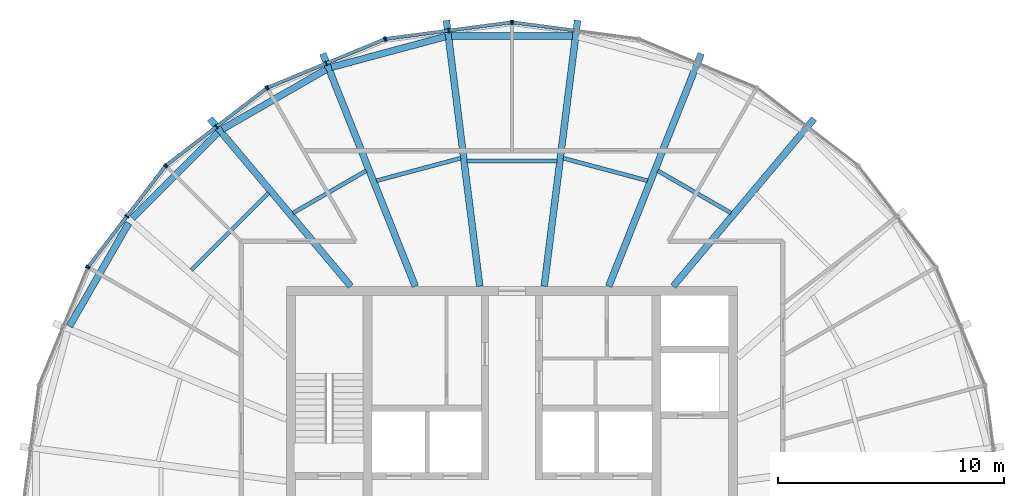
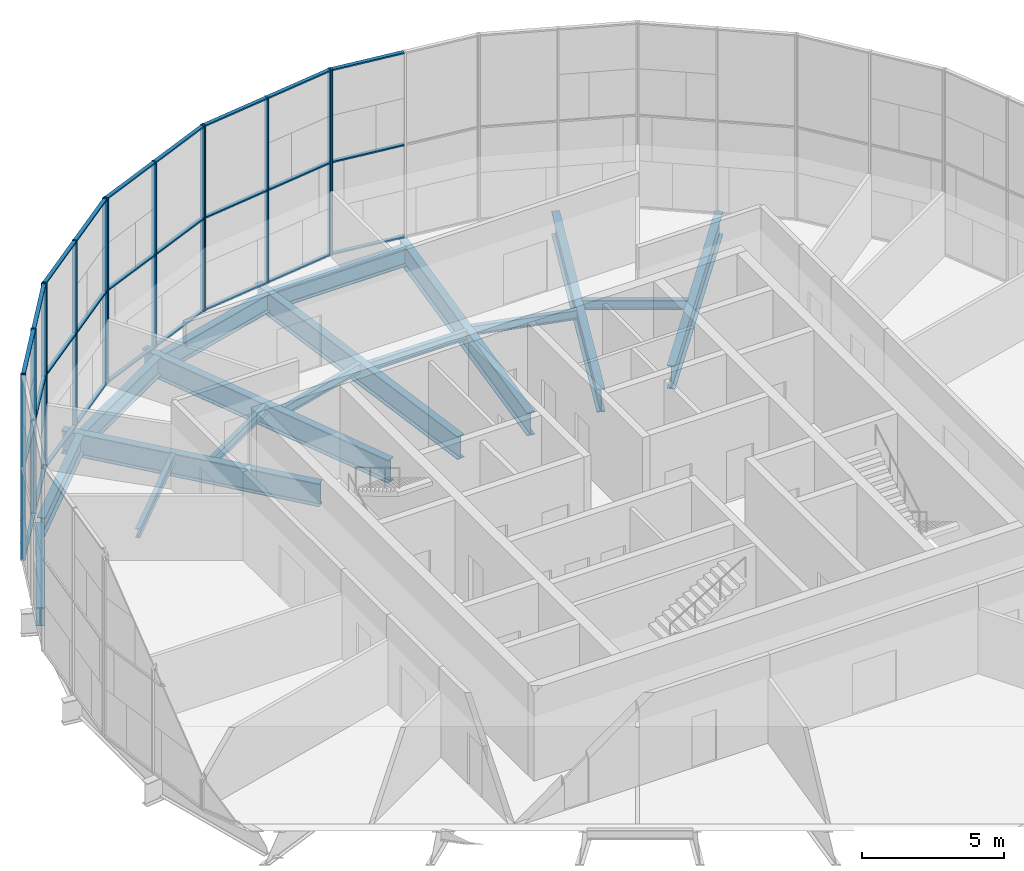
# One storey, part 6 of 18: 41 members, 17 beams, 6 elements without a shape of their own.
"""IFC4 building model written with IfcOpenShell, lengths in metres."""

from ifc_helpers import new_model, si_unit, direction, frame, origin, origin_2d, place, context, subcontext, project, spatial, rectangle, i_section, extrude, material, material_profile, profile_set, type_object, element, aggregate, save


model = new_model("IFC4")

# Units and contexts
model_context = context("Model", 3, precision=1e-05, world=origin(), true_north=direction((0.0, 1.0)))
body_context = subcontext(model_context, "Body", "Model", "MODEL_VIEW")
ifc_project = project(units=[si_unit("LENGTHUNIT", "METRE"), si_unit("AREAUNIT", "SQUARE_METRE"), si_unit("VOLUMEUNIT", "CUBIC_METRE"), si_unit("PLANEANGLEUNIT", "RADIAN"), si_unit("MASSUNIT", "GRAM", prefix="KILO")], contexts=[model_context])

# Site, building, storey
site_placement = place(None, origin())
site = spatial("IfcSite", under=ifc_project, at=site_placement, CompositionType="ELEMENT")
building_placement = place(site_placement, origin())
building = spatial("IfcBuilding", under=site, at=building_placement, Name="Golbaran Civic Tower", CompositionType="ELEMENT")
storey_placement = place(building_placement, frame((0.0, 0.0, 272.0)))
storey = spatial("IfcBuildingStorey", under=building, at=storey_placement, Name="L66", CompositionType="ELEMENT", Elevation=272.0)

# Beams
ifc_material_1 = material(Name="Steel S355", Category="steel")
ifc_material_profile_1 = material_profile(ifc_material_1, i_section(OverallWidth=0.300048828125, OverallDepth=0.800048828125, WebThickness=0.017578125, FlangeThickness=0.032958984375, FilletRadius=0.030029296875, at=origin_2d()), Name="HEB 800")
ifc_profile_set_1 = profile_set([ifc_material_profile_1], Name="Steel S355")
beam_type_1 = type_object("IfcBeamType", Name="EDGE BEAM HEB 800", PredefinedType="BEAM", material=ifc_profile_set_1)
beam_1_placement = place(storey_placement, frame((2.68896484375, 21.095703125, -0.60009765625), z_axis=(-1.0, 0.0, 0.0), x_axis=(0.0, -1.0, 0.0)))
element("IfcBeam", 1, at=beam_1_placement, inside=storey, type_object=beam_type_1, Name="Edge beam 82.41 L66", PredefinedType="BEAM", context=body_context, shape_type="SweptSolid", body=[
    extrude(i_section(OverallWidth=0.300048828125, OverallDepth=0.800048828125, WebThickness=0.017578125, FlangeThickness=0.032958984375, FilletRadius=0.030029296875, at=origin_2d()), origin(), (0.0, 0.0, 1.0), 5.3779296875),
])
beam_2_placement = place(storey_placement, frame((-2.94677734375, 21.061767578125, -0.60009765625), z_axis=(-0.965775895826, -0.259377946329, 0.0), x_axis=(0.259377946329, -0.965775895826, 0.0)))
element("IfcBeam", 2, at=beam_2_placement, inside=storey, type_object=beam_type_1, Name="Edge beam 97.59 L66", PredefinedType="BEAM", context=body_context, shape_type="SweptSolid", body=[
    extrude(i_section(OverallWidth=0.300048828125, OverallDepth=0.800048828125, WebThickness=0.017578125, FlangeThickness=0.032958984375, FilletRadius=0.030029296875, at=origin_2d()), origin(), (0.0, 0.0, 1.0), 5.234375),
])
beam_3_placement = place(storey_placement, frame((-8.2421875, 19.6044921875, -0.60009765625), z_axis=(-0.866440450547, -0.499280427871, 0.0), x_axis=(0.499280427871, -0.866440450547, 0.0)))
element("IfcBeam", 3, at=beam_3_placement, inside=storey, type_object=beam_type_1, Name="Edge beam 112.41 L66", PredefinedType="BEAM", context=body_context, shape_type="SweptSolid", body=[
    extrude(i_section(OverallWidth=0.300048828125, OverallDepth=0.800048828125, WebThickness=0.017578125, FlangeThickness=0.032958984375, FilletRadius=0.030029296875, at=origin_2d()), origin(), (0.0, 0.0, 1.0), 5.292236328125),
])
beam_4_placement = place(storey_placement, frame((-13.0341796875, 16.803955078125, -0.60009765625), z_axis=(-0.70669645465, -0.707516869753, 0.0), x_axis=(0.707516869753, -0.70669645465, 0.0)))
element("IfcBeam", 4, at=beam_4_placement, inside=storey, type_object=beam_type_1, Name="Edge beam 127.59 L66", PredefinedType="BEAM", context=body_context, shape_type="SweptSolid", body=[
    extrude(i_section(OverallWidth=0.300048828125, OverallDepth=0.800048828125, WebThickness=0.017578125, FlangeThickness=0.032958984375, FilletRadius=0.030029296875, at=origin_2d()), origin(), (0.0, 0.0, 1.0), 5.3564453125),
])
beam_5_placement = place(storey_placement, frame((-16.977783203125, 12.80712890625, -0.60009765625), z_axis=(-0.498381695671, -0.866957718358, 0.0), x_axis=(0.866957718358, -0.498381695671, 0.0)))
element("IfcBeam", 5, at=beam_5_placement, inside=storey, type_object=beam_type_1, Name="Edge beam 142.41 L66", PredefinedType="BEAM", context=body_context, shape_type="SweptSolid", body=[
    extrude(i_section(OverallWidth=0.300048828125, OverallDepth=0.800048828125, WebThickness=0.017578125, FlangeThickness=0.032958984375, FilletRadius=0.030029296875, at=origin_2d()), origin(), (0.0, 0.0, 1.0), 5.283203125),
])
ifc_material_profile_2 = material_profile(ifc_material_1, i_section(OverallWidth=0.179931640625, OverallDepth=0.39990234375, WebThickness=0.008544921875, FlangeThickness=0.013427734375, FilletRadius=0.02099609375, at=origin_2d()), Name="IPE 400")
ifc_profile_set_2 = profile_set([ifc_material_profile_2], Name="Steel S355")
beam_type_2 = type_object("IfcBeamType", Name="FLOOR INFILL BEAM IPE 400", PredefinedType="BEAM", material=ifc_profile_set_2)
beam_6_placement = place(storey_placement, frame((9.70361328125, 13.2470703125, -0.39990234375), z_axis=(-0.866016249639, 0.500015855109, 0.0), x_axis=(-0.500015855109, -0.866016249639, 0.0)))
element("IfcBeam", 6, at=beam_6_placement, inside=storey, type_object=beam_type_2, Name="Infill beam 60.00 L66", PredefinedType="BEAM", context=body_context, shape_type="SweptSolid", body=[
    extrude(i_section(OverallWidth=0.179931640625, OverallDepth=0.39990234375, WebThickness=0.008544921875, FlangeThickness=0.013427734375, FilletRadius=0.02099609375, at=origin_2d()), origin(), (0.0, 0.0, 1.0), 3.74560546875),
])
beam_7_placement = place(storey_placement, frame((6.003662109375, 14.67529296875, -0.39990234375), z_axis=(-0.965932258808, 0.25879503742, 0.0), x_axis=(-0.25879503742, -0.965932258808, 0.0)))
element("IfcBeam", 7, at=beam_7_placement, inside=storey, type_object=beam_type_2, Name="Infill beam 75.00 L66", PredefinedType="BEAM", context=body_context, shape_type="SweptSolid", body=[
    extrude(i_section(OverallWidth=0.179931640625, OverallDepth=0.39990234375, WebThickness=0.008544921875, FlangeThickness=0.013427734375, FilletRadius=0.02099609375, at=origin_2d()), origin(), (0.0, 0.0, 1.0), 3.864013671875),
])
beam_8_placement = place(storey_placement, frame((1.993408203125, 15.5478515625, -0.39990234375), z_axis=(-1.0, 0.0, 0.0), x_axis=(0.0, -1.0, 0.0)))
element("IfcBeam", 8, at=beam_8_placement, inside=storey, type_object=beam_type_2, Name="Infill beam 90.00 L66", PredefinedType="BEAM", context=body_context, shape_type="SweptSolid", body=[
    extrude(i_section(OverallWidth=0.179931640625, OverallDepth=0.39990234375, WebThickness=0.008544921875, FlangeThickness=0.013427734375, FilletRadius=0.02099609375, at=origin_2d()), origin(), (0.0, 0.0, 1.0), 3.98681640625),
])
beam_9_placement = place(storey_placement, frame((-2.271240234375, 15.67529296875, -0.39990234375), z_axis=(-0.965932258808, -0.25879503742, 0.0), x_axis=(0.25879503742, -0.965932258808, 0.0)))
element("IfcBeam", 9, at=beam_9_placement, inside=storey, type_object=beam_type_2, Name="Infill beam 105.00 L66", PredefinedType="BEAM", context=body_context, shape_type="SweptSolid", body=[
    extrude(i_section(OverallWidth=0.179931640625, OverallDepth=0.39990234375, WebThickness=0.008544921875, FlangeThickness=0.013427734375, FilletRadius=0.02099609375, at=origin_2d()), origin(), (0.0, 0.0, 1.0), 3.864013671875),
])
beam_10_placement = place(storey_placement, frame((-6.4599609375, 15.119873046875, -0.39990234375), z_axis=(-0.866016249639, -0.500015855109, 0.0), x_axis=(0.500015855109, -0.866016249639, 0.0)))
element("IfcBeam", 10, at=beam_10_placement, inside=storey, type_object=beam_type_2, Name="Infill beam 120.00 L66", PredefinedType="BEAM", context=body_context, shape_type="SweptSolid", body=[
    extrude(i_section(OverallWidth=0.179931640625, OverallDepth=0.39990234375, WebThickness=0.008544921875, FlangeThickness=0.013427734375, FilletRadius=0.02099609375, at=origin_2d()), origin(), (0.0, 0.0, 1.0), 3.74560546875),
])
beam_11_placement = place(storey_placement, frame((-10.786865234375, 14.13134765625, -0.39990234375), z_axis=(-0.707081500738, -0.707132060731, 0.0), x_axis=(0.707132060731, -0.707081500738, 0.0)))
element("IfcBeam", 11, at=beam_11_placement, inside=storey, type_object=beam_type_2, Name="Infill beam 135.00 L66", PredefinedType="BEAM", context=body_context, shape_type="SweptSolid", body=[
    extrude(i_section(OverallWidth=0.179931640625, OverallDepth=0.39990234375, WebThickness=0.008544921875, FlangeThickness=0.013427734375, FilletRadius=0.02099609375, at=origin_2d()), origin(), (0.0, 0.0, 1.0), 4.82861328125),
])

# Curtain wall, member
ifc_material_2 = material(Name="Aluminium and glass", Category="aluminium")
curtain_wall_type = type_object("IfcCurtainWallType", Name="INNER SKIN CURTAIN WALL EXECUTIVE", PredefinedType="NOTDEFINED", material=ifc_material_2)
curtain_wall_1_placement = place(storey_placement, origin())
curtain_wall_1 = element("IfcCurtainWall", 12, at=curtain_wall_1_placement, inside=storey, type_object=curtain_wall_type, Name="Inner skin L66 facet 6 CW2", ObjectType="INNER SKIN", PredefinedType="USERDEFINED")
ifc_material_3 = material(Name="Aluminium", Category="aluminium")
ifc_material_profile_3 = material_profile(ifc_material_3, rectangle(XDim=0.199951171875, YDim=0.06005859375, at=origin_2d()), Name="INNER SKIN CURTAIN WALL EXECUTIVE MULLION")
ifc_profile_set_3 = profile_set([ifc_material_profile_3], Name="Aluminium")
member_type_1 = type_object("IfcMemberType", Name="INNER SKIN CURTAIN WALL EXECUTIVE MULLION", PredefinedType="MULLION", material=ifc_profile_set_3)
member_1_placement = place(storey_placement, frame((0.02978515625, 21.695068359375, 0.0), z_axis=(0.0, 0.0, 1.0), x_axis=(-0.130526192151, -0.991444861383, 0.0)))
member_1 = element("IfcMember", 13, at=member_1_placement, type_object=member_type_1, Name="CW2 mullion 3", PredefinedType="MULLION", context=body_context, shape_type="SweptSolid", body=[
    extrude(rectangle(XDim=0.199951171875, YDim=0.06005859375, at=origin_2d()), origin(), (0.0, 0.0, 1.0), 8.0),
])

# Curtain wall, members
curtain_wall_2_placement = place(storey_placement, origin())
curtain_wall_2 = element("IfcCurtainWall", 14, at=curtain_wall_2_placement, inside=storey, type_object=curtain_wall_type, Name="Inner skin L66 facet 7 CW2", ObjectType="INNER SKIN", PredefinedType="USERDEFINED")
member_2_placement = place(storey_placement, frame((-0.02978515625, 21.695068359375, 0.0), z_axis=(0.0, 0.0, 1.0), x_axis=(0.130526192151, -0.991444861383, 0.0)))
member_2 = element("IfcMember", 15, at=member_2_placement, type_object=member_type_1, Name="CW2 mullion 1", PredefinedType="MULLION", context=body_context, shape_type="SweptSolid", body=[
    extrude(rectangle(XDim=0.199951171875, YDim=0.06005859375, at=origin_2d()), origin(), (0.0, 0.0, 1.0), 8.0),
])
member_3_placement = place(storey_placement, frame((-2.80810546875, 21.329345703125, 0.0), z_axis=(0.0, 0.0, 1.0), x_axis=(0.130526192151, -0.991444861383, 0.0)))
member_3 = element("IfcMember", 16, at=member_3_placement, type_object=member_type_1, Name="CW2 mullion 2", PredefinedType="MULLION", context=body_context, shape_type="SweptSolid", body=[
    extrude(rectangle(XDim=0.199951171875, YDim=0.06005859375, at=origin_2d()), origin(), (0.0, 0.0, 1.0), 8.0),
])
member_4_placement = place(storey_placement, frame((-5.58642578125, 20.963623046875, 0.0), z_axis=(0.0, 0.0, 1.0), x_axis=(0.130526192151, -0.991444861383, 0.0)))
member_4 = element("IfcMember", 17, at=member_4_placement, type_object=member_type_1, Name="CW2 mullion 3", PredefinedType="MULLION", context=body_context, shape_type="SweptSolid", body=[
    extrude(rectangle(XDim=0.199951171875, YDim=0.06005859375, at=origin_2d()), origin(), (0.0, 0.0, 1.0), 8.0),
])

curtain_wall_3_placement = place(storey_placement, origin())
curtain_wall_3 = element("IfcCurtainWall", 18, at=curtain_wall_3_placement, inside=storey, type_object=curtain_wall_type, Name="Inner skin L66 facet 8 CW2", ObjectType="INNER SKIN", PredefinedType="USERDEFINED")
member_5_placement = place(storey_placement, frame((-5.643798828125, 20.9482421875, 0.0), z_axis=(0.0, 0.0, 1.0), x_axis=(0.382683432397, -0.923879532498, 0.0)))
member_5 = element("IfcMember", 19, at=member_5_placement, type_object=member_type_1, Name="CW2 mullion 1", PredefinedType="MULLION", context=body_context, shape_type="SweptSolid", body=[
    extrude(rectangle(XDim=0.199951171875, YDim=0.06005859375, at=origin_2d()), origin(), (0.0, 0.0, 1.0), 8.0),
])
member_6_placement = place(storey_placement, frame((-8.23291015625, 19.875732421875, 0.0), z_axis=(0.0, 0.0, 1.0), x_axis=(0.382683432397, -0.923879532498, 0.0)))
member_6 = element("IfcMember", 20, at=member_6_placement, type_object=member_type_1, Name="CW2 mullion 2", PredefinedType="MULLION", context=body_context, shape_type="SweptSolid", body=[
    extrude(rectangle(XDim=0.199951171875, YDim=0.06005859375, at=origin_2d()), origin(), (0.0, 0.0, 1.0), 8.0),
])
member_7_placement = place(storey_placement, frame((-10.82177734375, 18.803466796875, 0.0), z_axis=(0.0, 0.0, 1.0), x_axis=(0.382683432397, -0.923879532498, 0.0)))
member_7 = element("IfcMember", 21, at=member_7_placement, type_object=member_type_1, Name="CW2 mullion 3", PredefinedType="MULLION", context=body_context, shape_type="SweptSolid", body=[
    extrude(rectangle(XDim=0.199951171875, YDim=0.06005859375, at=origin_2d()), origin(), (0.0, 0.0, 1.0), 8.0),
])

curtain_wall_4_placement = place(storey_placement, origin())
curtain_wall_4 = element("IfcCurtainWall", 22, at=curtain_wall_4_placement, inside=storey, type_object=curtain_wall_type, Name="Inner skin L66 facet 9 CW2", ObjectType="INNER SKIN", PredefinedType="USERDEFINED")
member_8_placement = place(storey_placement, frame((-10.873291015625, 18.773681640625, 0.0), z_axis=(0.0, 0.0, 1.0), x_axis=(0.608761429036, -0.79335334027, 0.0)))
member_8 = element("IfcMember", 23, at=member_8_placement, type_object=member_type_1, Name="CW2 mullion 1", PredefinedType="MULLION", context=body_context, shape_type="SweptSolid", body=[
    extrude(rectangle(XDim=0.199951171875, YDim=0.06005859375, at=origin_2d()), origin(), (0.0, 0.0, 1.0), 8.0),
])
member_9_placement = place(storey_placement, frame((-13.096435546875, 17.067626953125, 0.0), z_axis=(0.0, 0.0, 1.0), x_axis=(0.608761429036, -0.79335334027, 0.0)))
member_9 = element("IfcMember", 24, at=member_9_placement, type_object=member_type_1, Name="CW2 mullion 2", PredefinedType="MULLION", context=body_context, shape_type="SweptSolid", body=[
    extrude(rectangle(XDim=0.199951171875, YDim=0.06005859375, at=origin_2d()), origin(), (0.0, 0.0, 1.0), 8.0),
])
member_10_placement = place(storey_placement, frame((-15.31982421875, 15.36181640625, 0.0), z_axis=(0.0, 0.0, 1.0), x_axis=(0.608761429036, -0.79335334027, 0.0)))
member_10 = element("IfcMember", 25, at=member_10_placement, type_object=member_type_1, Name="CW2 mullion 3", PredefinedType="MULLION", context=body_context, shape_type="SweptSolid", body=[
    extrude(rectangle(XDim=0.199951171875, YDim=0.06005859375, at=origin_2d()), origin(), (0.0, 0.0, 1.0), 8.0),
])

curtain_wall_5_placement = place(storey_placement, origin())
curtain_wall_5 = element("IfcCurtainWall", 26, at=curtain_wall_5_placement, inside=storey, type_object=curtain_wall_type, Name="Inner skin L66 facet 10 CW2", ObjectType="INNER SKIN", PredefinedType="USERDEFINED")
member_11_placement = place(storey_placement, frame((-15.36181640625, 15.31982421875, 0.0), z_axis=(0.0, 0.0, 1.0), x_axis=(0.79335334027, -0.608761429036, 0.0)))
member_11 = element("IfcMember", 27, at=member_11_placement, type_object=member_type_1, Name="CW2 mullion 1", PredefinedType="MULLION", context=body_context, shape_type="SweptSolid", body=[
    extrude(rectangle(XDim=0.199951171875, YDim=0.06005859375, at=origin_2d()), origin(), (0.0, 0.0, 1.0), 8.0),
])
member_12_placement = place(storey_placement, frame((-17.067626953125, 13.096435546875, 0.0), z_axis=(0.0, 0.0, 1.0), x_axis=(0.79335334027, -0.608761429036, 0.0)))
member_12 = element("IfcMember", 28, at=member_12_placement, type_object=member_type_1, Name="CW2 mullion 2", PredefinedType="MULLION", context=body_context, shape_type="SweptSolid", body=[
    extrude(rectangle(XDim=0.199951171875, YDim=0.06005859375, at=origin_2d()), origin(), (0.0, 0.0, 1.0), 8.0),
])
member_13_placement = place(storey_placement, frame((-18.773681640625, 10.873291015625, 0.0), z_axis=(0.0, 0.0, 1.0), x_axis=(0.79335334027, -0.608761429036, 0.0)))
member_13 = element("IfcMember", 29, at=member_13_placement, type_object=member_type_1, Name="CW2 mullion 3", PredefinedType="MULLION", context=body_context, shape_type="SweptSolid", body=[
    extrude(rectangle(XDim=0.199951171875, YDim=0.06005859375, at=origin_2d()), origin(), (0.0, 0.0, 1.0), 8.0),
])

# Curtain wall, member
curtain_wall_6_placement = place(storey_placement, origin())
curtain_wall_6 = element("IfcCurtainWall", 30, at=curtain_wall_6_placement, inside=storey, type_object=curtain_wall_type, Name="Inner skin L66 facet 11 CW2", ObjectType="INNER SKIN", PredefinedType="USERDEFINED")
member_14_placement = place(storey_placement, frame((-18.803466796875, 10.82177734375, 0.0), z_axis=(0.0, 0.0, 1.0), x_axis=(0.923879532498, -0.382683432397, 0.0)))
member_14 = element("IfcMember", 31, at=member_14_placement, type_object=member_type_1, Name="CW2 mullion 1", PredefinedType="MULLION", context=body_context, shape_type="SweptSolid", body=[
    extrude(rectangle(XDim=0.199951171875, YDim=0.06005859375, at=origin_2d()), origin(), (0.0, 0.0, 1.0), 8.0),
])
aggregate(curtain_wall_6, [member_14])

# Member
ifc_material_profile_4 = material_profile(ifc_material_3, rectangle(XDim=0.14990234375, YDim=0.06005859375, at=origin_2d()), Name="INNER SKIN CURTAIN WALL EXECUTIVE TRANSOM")
ifc_profile_set_4 = profile_set([ifc_material_profile_4], Name="Aluminium")
member_type_2 = type_object("IfcMemberType", Name="INNER SKIN CURTAIN WALL EXECUTIVE TRANSOM", PredefinedType="USERDEFINED", material=ifc_profile_set_4)
member_15_placement = place(storey_placement, frame((2.7783203125, 21.333251953125, 0.030029296875), z_axis=(-0.99144580856, 0.130518997427, 0.0), x_axis=(-0.130518997427, -0.99144580856, 0.0)))
member_15 = element("IfcMember", 32, at=member_15_placement, type_object=member_type_2, Name="CW2 transom 2.1", ObjectType="TRANSOM", PredefinedType="USERDEFINED", context=body_context, shape_type="SweptSolid", body=[
    extrude(rectangle(XDim=0.14990234375, YDim=0.06005859375, at=origin_2d()), origin(), (0.0, 0.0, 1.0), 2.7421875),
])

member_16_placement = place(storey_placement, frame((2.7783203125, 21.333251953125, 4.0), z_axis=(-0.99144580856, 0.130518997427, 0.0), x_axis=(-0.130518997427, -0.99144580856, 0.0)))
member_16 = element("IfcMember", 33, at=member_16_placement, type_object=member_type_2, Name="CW2 transom 2.2", ObjectType="TRANSOM", PredefinedType="USERDEFINED", context=body_context, shape_type="SweptSolid", body=[
    extrude(rectangle(XDim=0.14990234375, YDim=0.06005859375, at=origin_2d()), origin(), (0.0, 0.0, 1.0), 2.7421875),
])

member_17_placement = place(storey_placement, frame((2.7783203125, 21.333251953125, 7.969970703125), z_axis=(-0.99144580856, 0.130518997427, 0.0), x_axis=(-0.130518997427, -0.99144580856, 0.0)))
member_17 = element("IfcMember", 34, at=member_17_placement, type_object=member_type_2, Name="CW2 transom 2.3", ObjectType="TRANSOM", PredefinedType="USERDEFINED", context=body_context, shape_type="SweptSolid", body=[
    extrude(rectangle(XDim=0.14990234375, YDim=0.06005859375, at=origin_2d()), origin(), (0.0, 0.0, 1.0), 2.7421875),
])

aggregate(curtain_wall_1, [member_1, member_15, member_16, member_17])

member_18_placement = place(storey_placement, frame((-0.0595703125, 21.691162109375, 0.030029296875), z_axis=(-0.99144580856, -0.130518997427, 0.0), x_axis=(0.130518997427, -0.99144580856, 0.0)))
member_18 = element("IfcMember", 35, at=member_18_placement, type_object=member_type_2, Name="CW2 transom 1.1", ObjectType="TRANSOM", PredefinedType="USERDEFINED", context=body_context, shape_type="SweptSolid", body=[
    extrude(rectangle(XDim=0.14990234375, YDim=0.06005859375, at=origin_2d()), origin(), (0.0, 0.0, 1.0), 2.7421875),
])

member_19_placement = place(storey_placement, frame((-0.0595703125, 21.691162109375, 4.0), z_axis=(-0.99144580856, -0.130518997427, 0.0), x_axis=(0.130518997427, -0.99144580856, 0.0)))
member_19 = element("IfcMember", 36, at=member_19_placement, type_object=member_type_2, Name="CW2 transom 1.2", ObjectType="TRANSOM", PredefinedType="USERDEFINED", context=body_context, shape_type="SweptSolid", body=[
    extrude(rectangle(XDim=0.14990234375, YDim=0.06005859375, at=origin_2d()), origin(), (0.0, 0.0, 1.0), 2.7421875),
])

member_20_placement = place(storey_placement, frame((-0.0595703125, 21.691162109375, 7.969970703125), z_axis=(-0.99144580856, -0.130518997427, 0.0), x_axis=(0.130518997427, -0.99144580856, 0.0)))
member_20 = element("IfcMember", 37, at=member_20_placement, type_object=member_type_2, Name="CW2 transom 1.3", ObjectType="TRANSOM", PredefinedType="USERDEFINED", context=body_context, shape_type="SweptSolid", body=[
    extrude(rectangle(XDim=0.14990234375, YDim=0.06005859375, at=origin_2d()), origin(), (0.0, 0.0, 1.0), 2.7421875),
])

member_21_placement = place(storey_placement, frame((-2.837890625, 21.325439453125, 0.030029296875), z_axis=(-0.99144580856, -0.130518997427, 0.0), x_axis=(0.130518997427, -0.99144580856, 0.0)))
member_21 = element("IfcMember", 38, at=member_21_placement, type_object=member_type_2, Name="CW2 transom 2.1", ObjectType="TRANSOM", PredefinedType="USERDEFINED", context=body_context, shape_type="SweptSolid", body=[
    extrude(rectangle(XDim=0.14990234375, YDim=0.06005859375, at=origin_2d()), origin(), (0.0, 0.0, 1.0), 2.7421875),
])

member_22_placement = place(storey_placement, frame((-2.837890625, 21.325439453125, 4.0), z_axis=(-0.99144580856, -0.130518997427, 0.0), x_axis=(0.130518997427, -0.99144580856, 0.0)))
member_22 = element("IfcMember", 39, at=member_22_placement, type_object=member_type_2, Name="CW2 transom 2.2", ObjectType="TRANSOM", PredefinedType="USERDEFINED", context=body_context, shape_type="SweptSolid", body=[
    extrude(rectangle(XDim=0.14990234375, YDim=0.06005859375, at=origin_2d()), origin(), (0.0, 0.0, 1.0), 2.7421875),
])

member_23_placement = place(storey_placement, frame((-2.837890625, 21.325439453125, 7.969970703125), z_axis=(-0.99144580856, -0.130518997427, 0.0), x_axis=(0.130518997427, -0.99144580856, 0.0)))
member_23 = element("IfcMember", 40, at=member_23_placement, type_object=member_type_2, Name="CW2 transom 2.3", ObjectType="TRANSOM", PredefinedType="USERDEFINED", context=body_context, shape_type="SweptSolid", body=[
    extrude(rectangle(XDim=0.14990234375, YDim=0.06005859375, at=origin_2d()), origin(), (0.0, 0.0, 1.0), 2.7421875),
])

aggregate(curtain_wall_2, [member_2, member_3, member_4, member_18, member_19, member_20, member_21, member_22, member_23])

member_24_placement = place(storey_placement, frame((-5.671630859375, 20.936767578125, 0.030029296875), z_axis=(-0.923857312765, -0.382737071174, 0.0), x_axis=(0.382737071174, -0.923857312765, 0.0)))
member_24 = element("IfcMember", 41, at=member_24_placement, type_object=member_type_2, Name="CW2 transom 1.1", ObjectType="TRANSOM", PredefinedType="USERDEFINED", context=body_context, shape_type="SweptSolid", body=[
    extrude(rectangle(XDim=0.14990234375, YDim=0.06005859375, at=origin_2d()), origin(), (0.0, 0.0, 1.0), 2.7421875),
])

member_25_placement = place(storey_placement, frame((-5.671630859375, 20.936767578125, 4.0), z_axis=(-0.923857312765, -0.382737071174, 0.0), x_axis=(0.382737071174, -0.923857312765, 0.0)))
member_25 = element("IfcMember", 42, at=member_25_placement, type_object=member_type_2, Name="CW2 transom 1.2", ObjectType="TRANSOM", PredefinedType="USERDEFINED", context=body_context, shape_type="SweptSolid", body=[
    extrude(rectangle(XDim=0.14990234375, YDim=0.06005859375, at=origin_2d()), origin(), (0.0, 0.0, 1.0), 2.7421875),
])

member_26_placement = place(storey_placement, frame((-5.671630859375, 20.936767578125, 7.969970703125), z_axis=(-0.923857312765, -0.382737071174, 0.0), x_axis=(0.382737071174, -0.923857312765, 0.0)))
member_26 = element("IfcMember", 43, at=member_26_placement, type_object=member_type_2, Name="CW2 transom 1.3", ObjectType="TRANSOM", PredefinedType="USERDEFINED", context=body_context, shape_type="SweptSolid", body=[
    extrude(rectangle(XDim=0.14990234375, YDim=0.06005859375, at=origin_2d()), origin(), (0.0, 0.0, 1.0), 2.7421875),
])

member_27_placement = place(storey_placement, frame((-8.260498046875, 19.8642578125, 0.030029296875), z_axis=(-0.923888790987, -0.382661079663, 0.0), x_axis=(0.382661079663, -0.923888790987, 0.0)))
member_27 = element("IfcMember", 44, at=member_27_placement, type_object=member_type_2, Name="CW2 transom 2.1", ObjectType="TRANSOM", PredefinedType="USERDEFINED", context=body_context, shape_type="SweptSolid", body=[
    extrude(rectangle(XDim=0.14990234375, YDim=0.06005859375, at=origin_2d()), origin(), (0.0, 0.0, 1.0), 2.7421875),
])

member_28_placement = place(storey_placement, frame((-8.260498046875, 19.8642578125, 4.0), z_axis=(-0.923888790987, -0.382661079663, 0.0), x_axis=(0.382661079663, -0.923888790987, 0.0)))
member_28 = element("IfcMember", 45, at=member_28_placement, type_object=member_type_2, Name="CW2 transom 2.2", ObjectType="TRANSOM", PredefinedType="USERDEFINED", context=body_context, shape_type="SweptSolid", body=[
    extrude(rectangle(XDim=0.14990234375, YDim=0.06005859375, at=origin_2d()), origin(), (0.0, 0.0, 1.0), 2.7421875),
])

member_29_placement = place(storey_placement, frame((-8.260498046875, 19.8642578125, 7.969970703125), z_axis=(-0.923888790987, -0.382661079663, 0.0), x_axis=(0.382661079663, -0.923888790987, 0.0)))
member_29 = element("IfcMember", 46, at=member_29_placement, type_object=member_type_2, Name="CW2 transom 2.3", ObjectType="TRANSOM", PredefinedType="USERDEFINED", context=body_context, shape_type="SweptSolid", body=[
    extrude(rectangle(XDim=0.14990234375, YDim=0.06005859375, at=origin_2d()), origin(), (0.0, 0.0, 1.0), 2.7421875),
])

aggregate(curtain_wall_3, [member_5, member_6, member_7, member_24, member_25, member_26, member_27, member_28, member_29])

member_30_placement = place(storey_placement, frame((-10.897216796875, 18.75537109375, 0.030029296875), z_axis=(-0.793338324799, -0.60878099708, 0.0), x_axis=(0.60878099708, -0.793338324799, 0.0)))
member_30 = element("IfcMember", 47, at=member_30_placement, type_object=member_type_2, Name="CW2 transom 1.1", ObjectType="TRANSOM", PredefinedType="USERDEFINED", context=body_context, shape_type="SweptSolid", body=[
    extrude(rectangle(XDim=0.14990234375, YDim=0.06005859375, at=origin_2d()), origin(), (0.0, 0.0, 1.0), 2.7421875),
])

member_31_placement = place(storey_placement, frame((-10.897216796875, 18.75537109375, 4.0), z_axis=(-0.793338324799, -0.60878099708, 0.0), x_axis=(0.60878099708, -0.793338324799, 0.0)))
member_31 = element("IfcMember", 48, at=member_31_placement, type_object=member_type_2, Name="CW2 transom 1.2", ObjectType="TRANSOM", PredefinedType="USERDEFINED", context=body_context, shape_type="SweptSolid", body=[
    extrude(rectangle(XDim=0.14990234375, YDim=0.06005859375, at=origin_2d()), origin(), (0.0, 0.0, 1.0), 2.7421875),
])

member_32_placement = place(storey_placement, frame((-10.897216796875, 18.75537109375, 7.969970703125), z_axis=(-0.793338324799, -0.60878099708, 0.0), x_axis=(0.60878099708, -0.793338324799, 0.0)))
member_32 = element("IfcMember", 49, at=member_32_placement, type_object=member_type_2, Name="CW2 transom 1.3", ObjectType="TRANSOM", PredefinedType="USERDEFINED", context=body_context, shape_type="SweptSolid", body=[
    extrude(rectangle(XDim=0.14990234375, YDim=0.06005859375, at=origin_2d()), origin(), (0.0, 0.0, 1.0), 2.7421875),
])

member_33_placement = place(storey_placement, frame((-13.120361328125, 17.04931640625, 0.030029296875), z_axis=(-0.793381323473, -0.608724958881, 0.0), x_axis=(0.608724958881, -0.793381323473, 0.0)))
member_33 = element("IfcMember", 50, at=member_33_placement, type_object=member_type_2, Name="CW2 transom 2.1", ObjectType="TRANSOM", PredefinedType="USERDEFINED", context=body_context, shape_type="SweptSolid", body=[
    extrude(rectangle(XDim=0.14990234375, YDim=0.06005859375, at=origin_2d()), origin(), (0.0, 0.0, 1.0), 2.7421875),
])

member_34_placement = place(storey_placement, frame((-13.120361328125, 17.04931640625, 4.0), z_axis=(-0.793381323473, -0.608724958881, 0.0), x_axis=(0.608724958881, -0.793381323473, 0.0)))
member_34 = element("IfcMember", 51, at=member_34_placement, type_object=member_type_2, Name="CW2 transom 2.2", ObjectType="TRANSOM", PredefinedType="USERDEFINED", context=body_context, shape_type="SweptSolid", body=[
    extrude(rectangle(XDim=0.14990234375, YDim=0.06005859375, at=origin_2d()), origin(), (0.0, 0.0, 1.0), 2.7421875),
])

member_35_placement = place(storey_placement, frame((-13.120361328125, 17.04931640625, 7.969970703125), z_axis=(-0.793381323473, -0.608724958881, 0.0), x_axis=(0.608724958881, -0.793381323473, 0.0)))
member_35 = element("IfcMember", 52, at=member_35_placement, type_object=member_type_2, Name="CW2 transom 2.3", ObjectType="TRANSOM", PredefinedType="USERDEFINED", context=body_context, shape_type="SweptSolid", body=[
    extrude(rectangle(XDim=0.14990234375, YDim=0.06005859375, at=origin_2d()), origin(), (0.0, 0.0, 1.0), 2.7421875),
])

aggregate(curtain_wall_4, [member_8, member_9, member_10, member_30, member_31, member_32, member_33, member_34, member_35])

member_36_placement = place(storey_placement, frame((-15.380126953125, 15.2958984375, 0.030029296875), z_axis=(-0.608724958881, -0.793381323473, 0.0), x_axis=(0.793381323473, -0.608724958881, 0.0)))
member_36 = element("IfcMember", 53, at=member_36_placement, type_object=member_type_2, Name="CW2 transom 1.1", ObjectType="TRANSOM", PredefinedType="USERDEFINED", context=body_context, shape_type="SweptSolid", body=[
    extrude(rectangle(XDim=0.14990234375, YDim=0.06005859375, at=origin_2d()), origin(), (0.0, 0.0, 1.0), 2.7421875),
])

member_37_placement = place(storey_placement, frame((-15.380126953125, 15.2958984375, 4.0), z_axis=(-0.608724958881, -0.793381323473, 0.0), x_axis=(0.793381323473, -0.608724958881, 0.0)))
member_37 = element("IfcMember", 54, at=member_37_placement, type_object=member_type_2, Name="CW2 transom 1.2", ObjectType="TRANSOM", PredefinedType="USERDEFINED", context=body_context, shape_type="SweptSolid", body=[
    extrude(rectangle(XDim=0.14990234375, YDim=0.06005859375, at=origin_2d()), origin(), (0.0, 0.0, 1.0), 2.7421875),
])

member_38_placement = place(storey_placement, frame((-15.380126953125, 15.2958984375, 7.969970703125), z_axis=(-0.608724958881, -0.793381323473, 0.0), x_axis=(0.793381323473, -0.608724958881, 0.0)))
member_38 = element("IfcMember", 55, at=member_38_placement, type_object=member_type_2, Name="CW2 transom 1.3", ObjectType="TRANSOM", PredefinedType="USERDEFINED", context=body_context, shape_type="SweptSolid", body=[
    extrude(rectangle(XDim=0.14990234375, YDim=0.06005859375, at=origin_2d()), origin(), (0.0, 0.0, 1.0), 2.7421875),
])

member_39_placement = place(storey_placement, frame((-17.0859375, 13.07275390625, 0.030029296875), z_axis=(-0.60878099708, -0.793338324799, 0.0), x_axis=(0.793338324799, -0.60878099708, 0.0)))
member_39 = element("IfcMember", 56, at=member_39_placement, type_object=member_type_2, Name="CW2 transom 2.1", ObjectType="TRANSOM", PredefinedType="USERDEFINED", context=body_context, shape_type="SweptSolid", body=[
    extrude(rectangle(XDim=0.14990234375, YDim=0.06005859375, at=origin_2d()), origin(), (0.0, 0.0, 1.0), 2.7421875),
])

member_40_placement = place(storey_placement, frame((-17.0859375, 13.07275390625, 4.0), z_axis=(-0.60878099708, -0.793338324799, 0.0), x_axis=(0.793338324799, -0.60878099708, 0.0)))
member_40 = element("IfcMember", 57, at=member_40_placement, type_object=member_type_2, Name="CW2 transom 2.2", ObjectType="TRANSOM", PredefinedType="USERDEFINED", context=body_context, shape_type="SweptSolid", body=[
    extrude(rectangle(XDim=0.14990234375, YDim=0.06005859375, at=origin_2d()), origin(), (0.0, 0.0, 1.0), 2.7421875),
])

member_41_placement = place(storey_placement, frame((-17.0859375, 13.07275390625, 7.969970703125), z_axis=(-0.60878099708, -0.793338324799, 0.0), x_axis=(0.793338324799, -0.60878099708, 0.0)))
member_41 = element("IfcMember", 58, at=member_41_placement, type_object=member_type_2, Name="CW2 transom 2.3", ObjectType="TRANSOM", PredefinedType="USERDEFINED", context=body_context, shape_type="SweptSolid", body=[
    extrude(rectangle(XDim=0.14990234375, YDim=0.06005859375, at=origin_2d()), origin(), (0.0, 0.0, 1.0), 2.7421875),
])

aggregate(curtain_wall_5, [member_11, member_12, member_13, member_36, member_37, member_38, member_39, member_40, member_41])

# Beams
ifc_material_profile_5 = material_profile(ifc_material_1, i_section(OverallWidth=0.300048828125, OverallDepth=1.0, WebThickness=0.01904296875, FlangeThickness=0.035888671875, FilletRadius=0.030029296875, at=origin_2d()), Name="HEB 1000")
ifc_profile_set_5 = profile_set([ifc_material_profile_5], Name="Steel S355")
beam_type_3 = type_object("IfcBeamType", Name="RADIAL FLOOR BEAM HEB 1000", PredefinedType="BEAM", material=ifc_profile_set_5)
beam_12_placement = place(storey_placement, frame((7.142822265625, 10.0, -0.7099609375), z_axis=(0.643602281721, 0.765360113256, 0.0), x_axis=(-0.765360113256, 0.643602281721, 0.0)))
element("IfcBeam", 59, at=beam_12_placement, inside=storey, type_object=beam_type_3, Name="Radial beam 52.41 L66", PredefinedType="BEAM", context=body_context, shape_type="SweptSolid", body=[
    extrude(i_section(OverallWidth=0.300048828125, OverallDepth=1.0, WebThickness=0.01904296875, FlangeThickness=0.035888671875, FilletRadius=0.030029296875, at=origin_2d()), origin(), (0.0, 0.0, 1.0), 9.69873046875),
])
beam_13_placement = place(storey_placement, frame((4.28564453125, 10.0, -0.7099609375), z_axis=(0.369287868071, 0.929315054487, 0.0), x_axis=(-0.929315054487, 0.369287868071, 0.0)))
element("IfcBeam", 60, at=beam_13_placement, inside=storey, type_object=beam_type_3, Name="Radial beam 67.59 L66", PredefinedType="BEAM", context=body_context, shape_type="SweptSolid", body=[
    extrude(i_section(OverallWidth=0.300048828125, OverallDepth=1.0, WebThickness=0.01904296875, FlangeThickness=0.035888671875, FilletRadius=0.030029296875, at=origin_2d()), origin(), (0.0, 0.0, 1.0), 11.0947265625),
])
for number, where, z_axis, x_axis, name in (
    (61, (1.428466796875, 10.0, -0.7099609375), (0.124449788363, 0.992225906826, 0.0), (-0.992225906826, 0.124449788363, 0.0), "Radial beam 82.41 L66"),
    (62, (-1.428466796875, 10.0, -0.7099609375), (-0.124449788363, 0.992225906826, 0.0), (-0.992225906826, -0.124449788363, 0.0), "Radial beam 97.59 L66"),
):
    element("IfcBeam", number, at=place(storey_placement, frame(where, z_axis=z_axis, x_axis=x_axis)), inside=storey, type_object=beam_type_3, Name=name, PredefinedType="BEAM", context=body_context, shape_type="SweptSolid", body=[
        extrude(i_section(OverallWidth=0.300048828125, OverallDepth=1.0, WebThickness=0.01904296875, FlangeThickness=0.035888671875, FilletRadius=0.030029296875, at=origin_2d()), origin(), (0.0, 0.0, 1.0), 11.87255859375),
    ])
beam_14_placement = place(storey_placement, frame((-4.28564453125, 10.0, -0.7099609375), z_axis=(-0.369287868071, 0.929315054487, 0.0), x_axis=(-0.929315054487, -0.369287868071, 0.0)))
element("IfcBeam", 63, at=beam_14_placement, inside=storey, type_object=beam_type_3, Name="Radial beam 112.41 L66", PredefinedType="BEAM", context=body_context, shape_type="SweptSolid", body=[
    extrude(i_section(OverallWidth=0.300048828125, OverallDepth=1.0, WebThickness=0.01904296875, FlangeThickness=0.035888671875, FilletRadius=0.030029296875, at=origin_2d()), origin(), (0.0, 0.0, 1.0), 11.0947265625),
])
beam_15_placement = place(storey_placement, frame((-7.142822265625, 10.0, -0.7099609375), z_axis=(-0.643602281721, 0.765360113256, 0.0), x_axis=(-0.765360113256, -0.643602281721, 0.0)))
element("IfcBeam", 64, at=beam_15_placement, inside=storey, type_object=beam_type_3, Name="Radial beam 127.59 L66", PredefinedType="BEAM", context=body_context, shape_type="SweptSolid", body=[
    extrude(i_section(OverallWidth=0.300048828125, OverallDepth=1.0, WebThickness=0.01904296875, FlangeThickness=0.035888671875, FilletRadius=0.030029296875, at=origin_2d()), origin(), (0.0, 0.0, 1.0), 9.69873046875),
])

save(model, "model.ifc")
